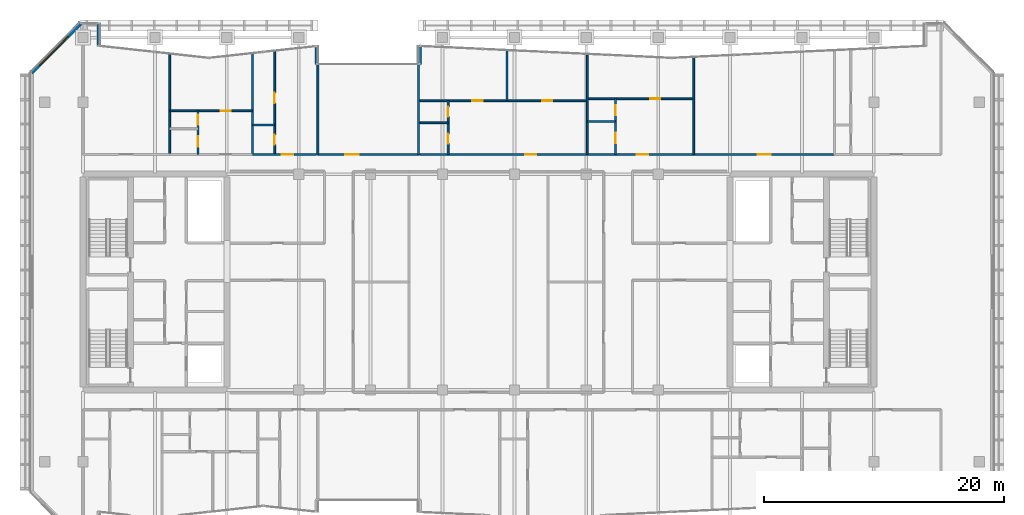
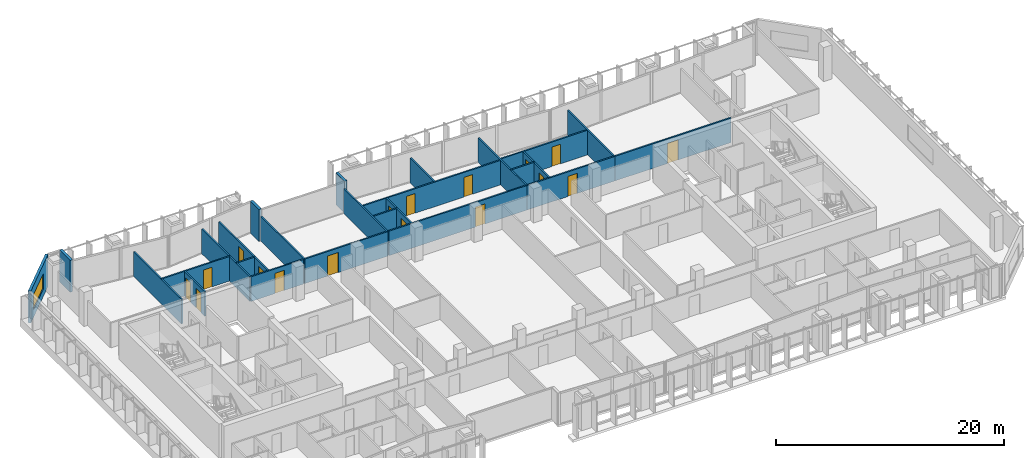
# One storey, part 22 of 29: 26 walls, 17 doors, 1 window, 18 openings.
"""IFC4 building model written with IfcOpenShell, lengths in metres."""

from ifc_helpers import new_model, si_unit, direction, frame, frame_2d, origin, place, context, subcontext, project, spatial, rectangle, extrude, material, layer, layer_set, type_object, element, fill, save


model = new_model("IFC4")

# Units and contexts
model_context = context("Model", 3, precision=1e-05, world=origin(), true_north=direction((0.0, 1.0)))
body_context = subcontext(model_context, "Body", "Model", "MODEL_VIEW")
ifc_project = project(units=[si_unit("LENGTHUNIT", "METRE"), si_unit("AREAUNIT", "SQUARE_METRE"), si_unit("VOLUMEUNIT", "CUBIC_METRE"), si_unit("PLANEANGLEUNIT", "RADIAN"), si_unit("MASSUNIT", "GRAM", prefix="KILO")], contexts=[model_context])

# Site, building, storey
site_placement = place(None, origin())
site = spatial("IfcSite", under=ifc_project, at=site_placement, CompositionType="ELEMENT")
building_placement = place(site_placement, origin())
building = spatial("IfcBuilding", under=site, at=building_placement, Name="Tanjung Sevakor Pilgrim Tower", CompositionType="ELEMENT")
storey_placement = place(building_placement, frame((0.0, 0.0, 162.030029296875)))
storey = spatial("IfcBuildingStorey", under=building, at=storey_placement, Name="L45", CompositionType="ELEMENT", Elevation=162.030029296875)

# Wall, opening, door
ifc_material_1 = material(Name="Concrete C40/50", Category="concrete")
ifc_layer_1 = layer(ifc_material_1, 0.14990234375)
ifc_layer_set_1 = layer_set([ifc_layer_1], Name="WT-COMP-150")
wall_type_1 = type_object("IfcWallType", Name="WT-COMP-150", PredefinedType="SOLIDWALL", material=ifc_layer_set_1)
wall_1_placement = place(storey_placement, frame((43.60009765625, 44.25, 0.0), z_axis=(0.0, 0.0, 1.0), x_axis=(1.0, 0.0, 0.0)))
wall_1 = element("IfcWall", 1, at=wall_1_placement, inside=storey, type_object=wall_type_1, Name="L45 Partition IW-L45-056", PredefinedType="SOLIDWALL", context=body_context, shape_type="SweptSolid", body=[
    extrude(rectangle(XDim=8.39990234375, YDim=0.14990234375, at=frame_2d((4.199951171875, 0.0))), origin(), (0.0, 0.0, 1.0), 2.6298828125),
])
opening_1_placement = place(wall_1_placement, frame((2.300048828125, 0.0, 0.0)))
opening_1 = element("IfcOpeningElement", 2, at=opening_1_placement, cuts=wall_1, Name="Opening ID-RM2", PredefinedType="OPENING", context=body_context, shape_type="SweptSolid", body=[
    extrude(rectangle(XDim=1.10009765625, YDim=2.14990234375, at=frame_2d((0.550048828125, 1.074951171875))), frame((0.0, 0.0849609375, 0.0), z_axis=(0.0, -1.0, 0.0), x_axis=(1.0, 0.0, 0.0)), (0.0, 0.0, 1.0), 0.169921875),
])
ifc_material_2 = material(Name="Hardwood Timber", Category="wood")
door_type_1 = type_object("IfcDoorType", Name="DT-INT-1100", OperationType="NOTDEFINED", PredefinedType="DOOR", material=ifc_material_2)
door_1_placement = place(opening_1_placement, origin())
door_1 = element("IfcDoor", 3, at=door_1_placement, inside=storey, type_object=door_type_1, Name="L45 North Cleft Seminar Room Door", OperationType="SINGLE_SWING_LEFT", OverallHeight=2.14990234375, OverallWidth=1.10009765625, PredefinedType="DOOR", context=body_context, shape_type="SweptSolid", body=[
    extrude(rectangle(XDim=1.10009765625, YDim=2.14990234375, at=frame_2d((0.550048828125, 1.074951171875))), frame((0.0, 0.02490234375, 0.0), z_axis=(0.0, -1.0, 0.0), x_axis=(1.0, 0.0, 0.0)), (0.0, 0.0, 1.0), 0.050048828125),
])
fill(opening_1, door_1)

# Walls
for number, where, z_axis, x_axis, name in (
    (4, (43.60009765625, 44.25, 0.0), (0.0, 0.0, 1.0), (0.0, 1.0, 0.0), "L45 Partition IW-L45-057"),
    (5, (52.0, 44.25, 0.0), (0.0, 0.0, 1.0), (0.0, 1.0, 0.0), "L45 Partition IW-L45-058"),
):
    element("IfcWall", number, at=place(storey_placement, frame(where, z_axis=z_axis, x_axis=x_axis)), inside=storey, type_object=wall_type_1, Name=name, PredefinedType="SOLIDWALL", context=body_context, shape_type="SweptSolid", body=[
        extrude(rectangle(XDim=7.52490234375, YDim=0.14990234375, at=frame_2d((3.762451171875, 0.0))), origin(), (0.0, 0.0, 1.0), 2.6298828125),
    ])
wall_2_placement = place(storey_placement, frame((31.239501953125, 44.25, 0.0), z_axis=(0.0, 0.0, 1.0), x_axis=(0.0, 1.0, 0.0)))
element("IfcWall", 6, at=wall_2_placement, inside=storey, type_object=wall_type_1, Name="L45 Partition IW-L45-093", PredefinedType="SOLIDWALL", context=body_context, shape_type="SweptSolid", body=[
    extrude(rectangle(XDim=8.402587890625, YDim=0.14990234375, at=frame_2d((4.201171875, 0.0))), origin(), (0.0, 0.0, 1.0), 2.6298828125),
])
wall_3_placement = place(storey_placement, frame((38.1455078125, 44.25, 0.0), z_axis=(0.0, 0.0, 1.0), x_axis=(0.0, 1.0, 0.0)))
element("IfcWall", 7, at=wall_3_placement, inside=storey, type_object=wall_type_1, Name="L45 Partition IW-L45-095", PredefinedType="SOLIDWALL", context=body_context, shape_type="SweptSolid", body=[
    extrude(rectangle(XDim=8.44482421875, YDim=0.14990234375, at=frame_2d((4.222412109375, 0.0))), origin(), (0.0, 0.0, 1.0), 2.6298828125),
])

# Wall, opening, door
wall_4_placement = place(storey_placement, frame((38.1455078125, 44.25, 0.0), z_axis=(0.0, 0.0, 1.0), x_axis=(1.0, 0.0, 0.0)))
wall_4 = element("IfcWall", 8, at=wall_4_placement, inside=storey, type_object=wall_type_1, Name="L45 Partition IW-L45-102", PredefinedType="SOLIDWALL", context=body_context, shape_type="SweptSolid", body=[
    extrude(rectangle(XDim=5.33447265625, YDim=0.14990234375, at=frame_2d((2.667236328125, 0.0))), origin(), (0.0, 0.0, 1.0), 2.6298828125),
])
opening_2_placement = place(wall_4_placement, frame((2.437255859375, 0.0, 0.0)))
opening_2 = element("IfcOpeningElement", 9, at=opening_2_placement, cuts=wall_4, Name="Opening ID-FD2", PredefinedType="OPENING", context=body_context, shape_type="SweptSolid", body=[
    extrude(rectangle(XDim=0.949951171875, YDim=2.14990234375, at=frame_2d((0.47509765625, 1.074951171875))), frame((0.0, 0.0849609375, 0.0), z_axis=(0.0, -1.0, 0.0), x_axis=(1.0, 0.0, 0.0)), (0.0, 0.0, 1.0), 0.169921875),
])
ifc_material_3 = material(Name="Fire-Rated Timber", Category="wood")
door_type_2 = type_object("IfcDoorType", Name="DT-FIRE-950", OperationType="NOTDEFINED", PredefinedType="DOOR", material=ifc_material_3)
door_2_placement = place(opening_2_placement, origin())
door_2 = element("IfcDoor", 10, at=door_2_placement, inside=storey, type_object=door_type_2, Name="Hostel Quad Entrance", OperationType="SINGLE_SWING_RIGHT", OverallHeight=2.14990234375, OverallWidth=0.949951171875, PredefinedType="DOOR", context=body_context, shape_type="SweptSolid", body=[
    extrude(rectangle(XDim=0.949951171875, YDim=2.14990234375, at=frame_2d((0.47509765625, 1.074951171875))), frame((0.0, 0.02490234375, 0.0), z_axis=(0.0, -1.0, 0.0), x_axis=(1.0, 0.0, 0.0)), (0.0, 0.0, 1.0), 0.050048828125),
])
fill(opening_2, door_2)

# Wall
wall_5_placement = place(storey_placement, frame((66.08447265625, 44.25, 0.0), z_axis=(0.0, 0.0, 1.0), x_axis=(0.0, 1.0, 0.0)))
element("IfcWall", 11, at=wall_5_placement, inside=storey, type_object=wall_type_1, Name="L45 Partition IW-L45-104", PredefinedType="SOLIDWALL", context=body_context, shape_type="SweptSolid", body=[
    extrude(rectangle(XDim=8.377197265625, YDim=0.14990234375, at=frame_2d((4.1884765625, 0.0))), origin(), (0.0, 0.0, 1.0), 2.6298828125),
])

# Wall, opening, door
wall_6_placement = place(storey_placement, frame((52.1201171875, 44.25, 0.0), z_axis=(0.0, 0.0, 1.0), x_axis=(1.0, 0.0, 0.0)))
wall_6 = element("IfcWall", 12, at=wall_6_placement, inside=storey, type_object=wall_type_1, Name="L45 Partition IW-L45-109", PredefinedType="SOLIDWALL", context=body_context, shape_type="SweptSolid", body=[
    extrude(rectangle(XDim=13.96435546875, YDim=0.14990234375, at=frame_2d((6.982177734375, 0.0))), origin(), (0.0, 0.0, 1.0), 2.6298828125),
])
opening_3_placement = place(wall_6_placement, frame((8.772216796875, 0.0, 0.0)))
opening_3 = element("IfcOpeningElement", 13, at=opening_3_placement, cuts=wall_6, Name="Opening ID-FD2", PredefinedType="OPENING", context=body_context, shape_type="SweptSolid", body=[
    extrude(rectangle(XDim=0.949951171875, YDim=2.14990234375, at=frame_2d((0.47509765625, 1.074951171875))), frame((0.0, 0.0849609375, 0.0), z_axis=(0.0, -1.0, 0.0), x_axis=(1.0, 0.0, 0.0)), (0.0, 0.0, 1.0), 0.169921875),
])
door_3_placement = place(opening_3_placement, origin())
door_3 = element("IfcDoor", 14, at=door_3_placement, inside=storey, type_object=door_type_2, Name="Suite Entrance", OperationType="SINGLE_SWING_LEFT", OverallHeight=2.14990234375, OverallWidth=0.949951171875, PredefinedType="DOOR", context=body_context, shape_type="SweptSolid", body=[
    extrude(rectangle(XDim=0.949951171875, YDim=2.14990234375, at=frame_2d((0.47509765625, 1.074951171875))), frame((0.0, 0.02490234375, 0.0), z_axis=(0.0, -1.0, 0.0), x_axis=(1.0, 0.0, 0.0)), (0.0, 0.0, 1.0), 0.050048828125),
])
fill(opening_3, door_3)

# Wall
wall_7_placement = place(storey_placement, frame((74.970703125, 44.25, 0.0), z_axis=(0.0, 0.0, 1.0), x_axis=(0.0, 1.0, 0.0)))
element("IfcWall", 15, at=wall_7_placement, inside=storey, type_object=wall_type_1, Name="L45 Partition IW-L45-110", PredefinedType="SOLIDWALL", context=body_context, shape_type="SweptSolid", body=[
    extrude(rectangle(XDim=8.133544921875, YDim=0.14990234375, at=frame_2d((4.06689453125, 0.0))), origin(), (0.0, 0.0, 1.0), 2.6298828125),
])

# Wall, opening, door
wall_8_placement = place(storey_placement, frame((66.08447265625, 44.25, 0.0), z_axis=(0.0, 0.0, 1.0), x_axis=(1.0, 0.0, 0.0)))
wall_8 = element("IfcWall", 16, at=wall_8_placement, inside=storey, type_object=wall_type_1, Name="L45 Partition IW-L45-114", PredefinedType="SOLIDWALL", context=body_context, shape_type="SweptSolid", body=[
    extrude(rectangle(XDim=8.88623046875, YDim=0.14990234375, at=frame_2d((4.443115234375, 0.0))), origin(), (0.0, 0.0, 1.0), 2.6298828125),
])
opening_4_placement = place(wall_8_placement, frame((4.13330078125, 0.0, 0.0)))
opening_4 = element("IfcOpeningElement", 17, at=opening_4_placement, cuts=wall_8, Name="Opening ID-FD2", PredefinedType="OPENING", context=body_context, shape_type="SweptSolid", body=[
    extrude(rectangle(XDim=0.949951171875, YDim=2.14990234375, at=frame_2d((0.47509765625, 1.074951171875))), frame((0.0, 0.0849609375, 0.0), z_axis=(0.0, -1.0, 0.0), x_axis=(1.0, 0.0, 0.0)), (0.0, 0.0, 1.0), 0.169921875),
])
door_4_placement = place(opening_4_placement, origin())
door_4 = element("IfcDoor", 18, at=door_4_placement, inside=storey, type_object=door_type_2, Name="Residence Entrance", OperationType="SINGLE_SWING_LEFT", OverallHeight=2.14990234375, OverallWidth=0.949951171875, PredefinedType="DOOR", context=body_context, shape_type="SweptSolid", body=[
    extrude(rectangle(XDim=0.949951171875, YDim=2.14990234375, at=frame_2d((0.47509765625, 1.074951171875))), frame((0.0, 0.02490234375, 0.0), z_axis=(0.0, -1.0, 0.0), x_axis=(1.0, 0.0, 0.0)), (0.0, 0.0, 1.0), 0.050048828125),
])
fill(opening_4, door_4)

wall_9_placement = place(storey_placement, frame((74.970703125, 44.25, 0.0), z_axis=(0.0, 0.0, 1.0), x_axis=(1.0, 0.0, 0.0)))
wall_9 = element("IfcWall", 19, at=wall_9_placement, inside=storey, type_object=wall_type_1, Name="L45 Partition IW-L45-116", PredefinedType="SOLIDWALL", context=body_context, shape_type="SweptSolid", body=[
    extrude(rectangle(XDim=11.742919921875, YDim=0.14990234375, at=frame_2d((5.87158203125, 0.0))), origin(), (0.0, 0.0, 1.0), 2.6298828125),
])
opening_5_placement = place(wall_9_placement, frame((5.3212890625, 0.0, 0.0)))
opening_5 = element("IfcOpeningElement", 20, at=opening_5_placement, cuts=wall_9, Name="Opening ID-FD0", PredefinedType="OPENING", context=body_context, shape_type="SweptSolid", body=[
    extrude(rectangle(XDim=1.10009765625, YDim=2.14990234375, at=frame_2d((0.550048828125, 1.074951171875))), frame((0.0, 0.0849609375, 0.0), z_axis=(0.0, -1.0, 0.0), x_axis=(1.0, 0.0, 0.0)), (0.0, 0.0, 1.0), 0.169921875),
])
ifc_material_4 = material(Name="Fire-Rated Steel S355J2", Category="steel")
door_type_3 = type_object("IfcDoorType", Name="DT-FIRE-1100", OperationType="NOTDEFINED", PredefinedType="DOOR", material=ifc_material_4)
door_5_placement = place(opening_5_placement, origin())
door_5 = element("IfcDoor", 21, at=door_5_placement, inside=storey, type_object=door_type_3, Name="Seminar Room Door", OperationType="SINGLE_SWING_RIGHT", OverallHeight=2.14990234375, OverallWidth=1.10009765625, PredefinedType="DOOR", context=body_context, shape_type="SweptSolid", body=[
    extrude(rectangle(XDim=1.10009765625, YDim=2.14990234375, at=frame_2d((0.550048828125, 1.074951171875))), frame((0.0, 0.02490234375, 0.0), z_axis=(0.0, -1.0, 0.0), x_axis=(1.0, 0.0, 0.0)), (0.0, 0.0, 1.0), 0.050048828125),
])
fill(opening_5, door_5)

# Walls
ifc_material_5 = material(Name="Precast concrete C45/55", Category="concrete")
ifc_layer_2 = layer(ifc_material_5, 0.25)
ifc_layer_set_2 = layer_set([ifc_layer_2], Name="WT-EW-STN3")
wall_type_2 = type_object("IfcWallType", Name="WT-EW-STN3", PredefinedType="SOLIDWALL", material=ifc_layer_set_2)
wall_10_placement = place(storey_placement, frame((52.125, 53.288818359375, 0.0), z_axis=(0.0, 0.0, 1.0), x_axis=(0.0, -1.0, 0.0)))
element("IfcWall", 22, at=wall_10_placement, inside=storey, type_object=wall_type_2, Name="L45 MAIN Exterior Wall 25", PredefinedType="SOLIDWALL", context=body_context, shape_type="SweptSolid", body=[
    extrude(rectangle(XDim=1.513916015625, YDim=0.25, at=frame_2d((0.7568359375, 0.0))), origin(), (0.0, 0.0, 1.0), 3.409912109375),
])
wall_11_placement = place(storey_placement, frame((43.47509765625, 51.77490234375, 0.0), z_axis=(0.0, 0.0, 1.0), x_axis=(0.0, 1.0, 0.0)))
element("IfcWall", 23, at=wall_11_placement, inside=storey, type_object=wall_type_2, Name="L45 MAIN Exterior Wall 27", PredefinedType="SOLIDWALL", context=body_context, shape_type="SweptSolid", body=[
    extrude(rectangle(XDim=1.505615234375, YDim=0.25, at=frame_2d((0.7529296875, 0.0))), origin(), (0.0, 0.0, 1.0), 3.409912109375),
])
wall_12_placement = place(storey_placement, frame((25.27490234375, 53.30810546875, 0.0), z_axis=(0.0, 0.0, 1.0), x_axis=(0.0, 1.0, 0.0)))
element("IfcWall", 24, at=wall_12_placement, inside=storey, type_object=wall_type_2, Name="L45 MAIN Exterior Wall 32", PredefinedType="SOLIDWALL", context=body_context, shape_type="SweptSolid", body=[
    extrude(rectangle(XDim=1.866943359375, YDim=0.25, at=frame_2d((0.93359375, 0.0))), origin(), (0.0, 0.0, 1.0), 3.409912109375),
])

# Wall, opening, window
wall_13_placement = place(storey_placement, frame((23.851806640625, 55.175048828125, 0.0), z_axis=(0.0, 0.0, 1.0), x_axis=(-0.70708586489, -0.707127696864, 0.0)))
wall_13 = element("IfcWall", 25, at=wall_13_placement, inside=storey, type_object=wall_type_2, Name="L45 MAIN Sculpted Corner Wall 33", PredefinedType="SOLIDWALL", context=body_context, shape_type="SweptSolid", body=[
    extrude(rectangle(XDim=5.836181640625, YDim=0.25, at=frame_2d((2.91796875, 0.0))), origin(), (0.0, 0.0, 1.0), 3.409912109375),
])
opening_6_placement = place(wall_13_placement, frame((1.5380859375, 0.0, 0.780029296875)))
opening_6 = element("IfcOpeningElement", 26, at=opening_6_placement, cuts=wall_13, Name="Opening WN-CHM-1660", PredefinedType="OPENING", context=body_context, shape_type="SweptSolid", body=[
    extrude(rectangle(XDim=3.39990234375, YDim=1.659912109375, at=frame_2d((1.699951171875, 0.830078125))), frame((0.0, 0.135009765625, 0.0), z_axis=(0.0, -1.0, 0.0), x_axis=(1.0, 0.0, 0.0)), (0.0, 0.0, 1.0), 0.27001953125),
])
ifc_material_6 = material(Name="Thermally Broken Aluminium and Low-E Glass", Category="aluminium")
window_type = type_object("IfcWindowType", Name="WTYP-WN-CHM-1660", PartitioningType="DOUBLE_PANEL_VERTICAL", PredefinedType="WINDOW", material=ifc_material_6)
window_placement = place(opening_6_placement, origin())
window = element("IfcWindow", 27, at=window_placement, inside=storey, type_object=window_type, Name="L45 Facade Window 01", OverallHeight=1.659912109375, OverallWidth=3.39990234375, PartitioningType="SINGLE_PANEL", PredefinedType="WINDOW", context=body_context, shape_type="SweptSolid", body=[
    extrude(rectangle(XDim=3.39990234375, YDim=1.659912109375, at=frame_2d((1.699951171875, 0.830078125))), frame((0.0, 0.030029296875, 0.0), z_axis=(0.0, -1.0, 0.0), x_axis=(1.0, 0.0, 0.0)), (0.0, 0.0, 1.0), 0.06005859375),
])
fill(opening_6, window)

# Wall, openings, doors
ifc_material_7 = material(Name="Gypsum Board Partition", Category="gypsum board")
ifc_layer_3 = layer(ifc_material_7, 0.14990234375)
ifc_layer_set_3 = layer_set([ifc_layer_3], Name="WT-PART-150")
wall_type_3 = type_object("IfcWallType", Name="WT-PART-150", PredefinedType="PARTITIONING", material=ifc_layer_set_3)
wall_14_placement = place(storey_placement, frame((33.587646484375, 44.25, 0.0), z_axis=(0.0, 0.0, 1.0), x_axis=(0.0, 1.0, 0.0)))
wall_14 = element("IfcWall", 28, at=wall_14_placement, inside=storey, type_object=wall_type_3, Name="L45 Partition IW-L45-097", PredefinedType="PARTITIONING", context=body_context, shape_type="SweptSolid", body=[
    extrude(rectangle(XDim=3.638916015625, YDim=0.14990234375, at=frame_2d((1.8193359375, 0.0))), origin(), (0.0, 0.0, 1.0), 2.6298828125),
])
opening_7_placement = place(wall_14_placement, frame((0.6484375, 0.0, 0.0)))
opening_7 = element("IfcOpeningElement", 29, at=opening_7_placement, cuts=wall_14, Name="Opening ID-WC1", PredefinedType="OPENING", context=body_context, shape_type="SweptSolid", body=[
    extrude(rectangle(XDim=0.85009765625, YDim=2.10009765625, at=frame_2d((0.425048828125, 1.050048828125))), frame((0.0, 0.0849609375, 0.0), z_axis=(0.0, -1.0, 0.0), x_axis=(1.0, 0.0, 0.0)), (0.0, 0.0, 1.0), 0.169921875),
])
opening_8_placement = place(wall_14_placement, frame((2.468017578125, 0.0, 0.0)))
opening_8 = element("IfcOpeningElement", 30, at=opening_8_placement, cuts=wall_14, Name="Opening ID-WC1", PredefinedType="OPENING", context=body_context, shape_type="SweptSolid", body=[
    extrude(rectangle(XDim=0.85009765625, YDim=2.10009765625, at=frame_2d((0.425048828125, 1.050048828125))), frame((0.0, 0.0849609375, 0.0), z_axis=(0.0, -1.0, 0.0), x_axis=(1.0, 0.0, 0.0)), (0.0, 0.0, 1.0), 0.169921875),
])
ifc_material_8 = material(Name="Moisture-Resistant Timber", Category="wood")
door_type_4 = type_object("IfcDoorType", Name="DT-INT-850", OperationType="NOTDEFINED", PredefinedType="DOOR", material=ifc_material_8)
door_6_placement = place(opening_7_placement, origin())
door_6 = element("IfcDoor", 31, at=door_6_placement, inside=storey, type_object=door_type_4, Name="Residence Kitchenette Door", OperationType="SINGLE_SWING_RIGHT", OverallHeight=2.10009765625, OverallWidth=0.85009765625, PredefinedType="DOOR", context=body_context, shape_type="SweptSolid", body=[
    extrude(rectangle(XDim=0.85009765625, YDim=2.10009765625, at=frame_2d((0.425048828125, 1.050048828125))), frame((0.0, 0.02490234375, 0.0), z_axis=(0.0, -1.0, 0.0), x_axis=(1.0, 0.0, 0.0)), (0.0, 0.0, 1.0), 0.050048828125),
])
fill(opening_7, door_6)
door_7_placement = place(opening_8_placement, origin())
door_7 = element("IfcDoor", 32, at=door_7_placement, inside=storey, type_object=door_type_4, Name="Residence Bathroom Door", OperationType="SINGLE_SWING_LEFT", OverallHeight=2.10009765625, OverallWidth=0.85009765625, PredefinedType="DOOR", context=body_context, shape_type="SweptSolid", body=[
    extrude(rectangle(XDim=0.85009765625, YDim=2.10009765625, at=frame_2d((0.425048828125, 1.050048828125))), frame((0.0, 0.02490234375, 0.0), z_axis=(0.0, -1.0, 0.0), x_axis=(1.0, 0.0, 0.0)), (0.0, 0.0, 1.0), 0.050048828125),
])
fill(opening_8, door_7)

# Wall, opening, door
wall_15_placement = place(storey_placement, frame((31.239501953125, 47.888916015625, 0.0), z_axis=(0.0, 0.0, 1.0), x_axis=(1.0, 0.0, 0.0)))
wall_15 = element("IfcWall", 33, at=wall_15_placement, inside=storey, type_object=wall_type_3, Name="L45 Partition IW-L45-098", PredefinedType="PARTITIONING", context=body_context, shape_type="SweptSolid", body=[
    extrude(rectangle(XDim=6.906005859375, YDim=0.14990234375, at=frame_2d((3.453125, 0.0))), origin(), (0.0, 0.0, 1.0), 2.6298828125),
])
opening_9_placement = place(wall_15_placement, frame((4.2421875, 0.0, 0.0)))
opening_9 = element("IfcOpeningElement", 34, at=opening_9_placement, cuts=wall_15, Name="Opening ID-WC1", PredefinedType="OPENING", context=body_context, shape_type="SweptSolid", body=[
    extrude(rectangle(XDim=0.85009765625, YDim=2.10009765625, at=frame_2d((0.425048828125, 1.050048828125))), frame((0.0, 0.0849609375, 0.0), z_axis=(0.0, -1.0, 0.0), x_axis=(1.0, 0.0, 0.0)), (0.0, 0.0, 1.0), 0.169921875),
])
door_8_placement = place(opening_9_placement, origin())
door_8 = element("IfcDoor", 35, at=door_8_placement, inside=storey, type_object=door_type_4, Name="Residence Bedroom Door", OperationType="SINGLE_SWING_RIGHT", OverallHeight=2.10009765625, OverallWidth=0.85009765625, PredefinedType="DOOR", context=body_context, shape_type="SweptSolid", body=[
    extrude(rectangle(XDim=0.85009765625, YDim=2.10009765625, at=frame_2d((0.425048828125, 1.050048828125))), frame((0.0, 0.02490234375, 0.0), z_axis=(0.0, -1.0, 0.0), x_axis=(1.0, 0.0, 0.0)), (0.0, 0.0, 1.0), 0.050048828125),
])
fill(opening_9, door_8)

# Wall
wall_16_placement = place(storey_placement, frame((38.1455078125, 46.699951171875, 0.0), z_axis=(0.0, 0.0, 1.0), x_axis=(1.0, 0.0, 0.0)))
element("IfcWall", 36, at=wall_16_placement, inside=storey, type_object=wall_type_3, Name="L45 Partition IW-L45-100", PredefinedType="PARTITIONING", context=body_context, shape_type="SweptSolid", body=[
    extrude(rectangle(XDim=1.85009765625, YDim=0.14990234375, at=frame_2d((0.925048828125, 0.0))), origin(), (0.0, 0.0, 1.0), 2.6298828125),
])

# Wall, openings, doors
wall_17_placement = place(storey_placement, frame((39.99560546875, 44.25, 0.0), z_axis=(0.0, 0.0, 1.0), x_axis=(0.0, 1.0, 0.0)))
wall_17 = element("IfcWall", 37, at=wall_17_placement, inside=storey, type_object=wall_type_3, Name="L45 Partition IW-L45-101", PredefinedType="PARTITIONING", context=body_context, shape_type="SweptSolid", body=[
    extrude(rectangle(XDim=8.648193359375, YDim=0.14990234375, at=frame_2d((4.32421875, 0.0))), origin(), (0.0, 0.0, 1.0), 2.6298828125),
])
opening_10_placement = place(wall_17_placement, frame((0.800048828125, 0.0, 0.0)))
opening_10 = element("IfcOpeningElement", 38, at=opening_10_placement, cuts=wall_17, Name="Opening ID-WC1", PredefinedType="OPENING", context=body_context, shape_type="SweptSolid", body=[
    extrude(rectangle(XDim=0.85009765625, YDim=2.10009765625, at=frame_2d((0.425048828125, 1.050048828125))), frame((0.0, 0.0849609375, 0.0), z_axis=(0.0, -1.0, 0.0), x_axis=(1.0, 0.0, 0.0)), (0.0, 0.0, 1.0), 0.169921875),
])
opening_11_placement = place(wall_17_placement, frame((4.2900390625, 0.0, 0.0)))
opening_11 = element("IfcOpeningElement", 39, at=opening_11_placement, cuts=wall_17, Name="Opening ID-WC1", PredefinedType="OPENING", context=body_context, shape_type="SweptSolid", body=[
    extrude(rectangle(XDim=0.85009765625, YDim=2.10009765625, at=frame_2d((0.425048828125, 1.050048828125))), frame((0.0, 0.0849609375, 0.0), z_axis=(0.0, -1.0, 0.0), x_axis=(1.0, 0.0, 0.0)), (0.0, 0.0, 1.0), 0.169921875),
])
door_9_placement = place(opening_10_placement, origin())
door_9 = element("IfcDoor", 40, at=door_9_placement, inside=storey, type_object=door_type_4, Name="Bathroom Door", OperationType="SINGLE_SWING_RIGHT", OverallHeight=2.10009765625, OverallWidth=0.85009765625, PredefinedType="DOOR", context=body_context, shape_type="SweptSolid", body=[
    extrude(rectangle(XDim=0.85009765625, YDim=2.10009765625, at=frame_2d((0.425048828125, 1.050048828125))), frame((0.0, 0.02490234375, 0.0), z_axis=(0.0, -1.0, 0.0), x_axis=(1.0, 0.0, 0.0)), (0.0, 0.0, 1.0), 0.050048828125),
])
fill(opening_10, door_9)
door_10_placement = place(opening_11_placement, origin())
door_10 = element("IfcDoor", 41, at=door_10_placement, inside=storey, type_object=door_type_4, Name="Study Nook Door", OperationType="SINGLE_SWING_LEFT", OverallHeight=2.10009765625, OverallWidth=0.85009765625, PredefinedType="DOOR", context=body_context, shape_type="SweptSolid", body=[
    extrude(rectangle(XDim=0.85009765625, YDim=2.10009765625, at=frame_2d((0.425048828125, 1.050048828125))), frame((0.0, 0.02490234375, 0.0), z_axis=(0.0, -1.0, 0.0), x_axis=(1.0, 0.0, 0.0)), (0.0, 0.0, 1.0), 0.050048828125),
])
fill(opening_11, door_10)

# Wall
wall_18_placement = place(storey_placement, frame((52.1201171875, 46.89501953125, 0.0), z_axis=(0.0, 0.0, 1.0), x_axis=(1.0, 0.0, 0.0)))
element("IfcWall", 42, at=wall_18_placement, inside=storey, type_object=wall_type_3, Name="L45 Partition IW-L45-105", PredefinedType="PARTITIONING", context=body_context, shape_type="SweptSolid", body=[
    extrude(rectangle(XDim=2.349853515625, YDim=0.14990234375, at=frame_2d((1.1748046875, 0.0))), origin(), (0.0, 0.0, 1.0), 2.6298828125),
])

# Wall, openings, doors
wall_19_placement = place(storey_placement, frame((54.469970703125, 44.25, 0.0), z_axis=(0.0, 0.0, 1.0), x_axis=(0.0, 1.0, 0.0)))
wall_19 = element("IfcWall", 43, at=wall_19_placement, inside=storey, type_object=wall_type_3, Name="L45 Partition IW-L45-106", PredefinedType="PARTITIONING", context=body_context, shape_type="SweptSolid", body=[
    extrude(rectangle(XDim=4.48291015625, YDim=0.14990234375, at=frame_2d((2.241455078125, 0.0))), origin(), (0.0, 0.0, 1.0), 2.6298828125),
])
opening_12_placement = place(wall_19_placement, frame((0.8974609375, 0.0, 0.0)))
opening_12 = element("IfcOpeningElement", 44, at=opening_12_placement, cuts=wall_19, Name="Opening ID-WC1", PredefinedType="OPENING", context=body_context, shape_type="SweptSolid", body=[
    extrude(rectangle(XDim=0.85009765625, YDim=2.10009765625, at=frame_2d((0.425048828125, 1.050048828125))), frame((0.0, 0.0849609375, 0.0), z_axis=(0.0, -1.0, 0.0), x_axis=(1.0, 0.0, 0.0)), (0.0, 0.0, 1.0), 0.169921875),
])
opening_13_placement = place(wall_19_placement, frame((3.138916015625, 0.0, 0.0)))
opening_13 = element("IfcOpeningElement", 45, at=opening_13_placement, cuts=wall_19, Name="Opening ID-WC1", PredefinedType="OPENING", context=body_context, shape_type="SweptSolid", body=[
    extrude(rectangle(XDim=0.85009765625, YDim=2.10009765625, at=frame_2d((0.425048828125, 1.050048828125))), frame((0.0, 0.0849609375, 0.0), z_axis=(0.0, -1.0, 0.0), x_axis=(1.0, 0.0, 0.0)), (0.0, 0.0, 1.0), 0.169921875),
])
door_11_placement = place(opening_12_placement, origin())
door_11 = element("IfcDoor", 46, at=door_11_placement, inside=storey, type_object=door_type_4, Name="Suite Kitchenette Door", OperationType="SINGLE_SWING_LEFT", OverallHeight=2.10009765625, OverallWidth=0.85009765625, PredefinedType="DOOR", context=body_context, shape_type="SweptSolid", body=[
    extrude(rectangle(XDim=0.85009765625, YDim=2.10009765625, at=frame_2d((0.425048828125, 1.050048828125))), frame((0.0, 0.02490234375, 0.0), z_axis=(0.0, -1.0, 0.0), x_axis=(1.0, 0.0, 0.0)), (0.0, 0.0, 1.0), 0.050048828125),
])
fill(opening_12, door_11)
door_12_placement = place(opening_13_placement, origin())
door_12 = element("IfcDoor", 47, at=door_12_placement, inside=storey, type_object=door_type_4, Name="Suite Bathroom Door", OperationType="SINGLE_SWING_RIGHT", OverallHeight=2.10009765625, OverallWidth=0.85009765625, PredefinedType="DOOR", context=body_context, shape_type="SweptSolid", body=[
    extrude(rectangle(XDim=0.85009765625, YDim=2.10009765625, at=frame_2d((0.425048828125, 1.050048828125))), frame((0.0, 0.02490234375, 0.0), z_axis=(0.0, -1.0, 0.0), x_axis=(1.0, 0.0, 0.0)), (0.0, 0.0, 1.0), 0.050048828125),
])
fill(opening_13, door_12)

# Wall
wall_20_placement = place(storey_placement, frame((59.381591796875, 48.73291015625, 0.0), z_axis=(0.0, 0.0, 1.0), x_axis=(0.0, 1.0, 0.0)))
element("IfcWall", 48, at=wall_20_placement, inside=storey, type_object=wall_type_3, Name="L45 Partition IW-L45-107", PredefinedType="PARTITIONING", context=body_context, shape_type="SweptSolid", body=[
    extrude(rectangle(XDim=4.212158203125, YDim=0.14990234375, at=frame_2d((2.10595703125, 0.0))), origin(), (0.0, 0.0, 1.0), 2.6298828125),
])

# Wall, openings, doors
wall_21_placement = place(storey_placement, frame((52.1201171875, 48.73291015625, 0.0), z_axis=(0.0, 0.0, 1.0), x_axis=(1.0, 0.0, 0.0)))
wall_21 = element("IfcWall", 49, at=wall_21_placement, inside=storey, type_object=wall_type_3, Name="L45 Partition IW-L45-108", PredefinedType="PARTITIONING", context=body_context, shape_type="SweptSolid", body=[
    extrude(rectangle(XDim=13.96435546875, YDim=0.14990234375, at=frame_2d((6.982177734375, 0.0))), origin(), (0.0, 0.0, 1.0), 2.6298828125),
])
opening_14_placement = place(wall_21_placement, frame((4.380859375, 0.0, 0.0)))
opening_14 = element("IfcOpeningElement", 50, at=opening_14_placement, cuts=wall_21, Name="Opening ID-WC1", PredefinedType="OPENING", context=body_context, shape_type="SweptSolid", body=[
    extrude(rectangle(XDim=0.85009765625, YDim=2.10009765625, at=frame_2d((0.425048828125, 1.050048828125))), frame((0.0, 0.0849609375, 0.0), z_axis=(0.0, -1.0, 0.0), x_axis=(1.0, 0.0, 0.0)), (0.0, 0.0, 1.0), 0.169921875),
])
opening_15_placement = place(wall_21_placement, frame((10.18798828125, 0.0, 0.0)))
opening_15 = element("IfcOpeningElement", 51, at=opening_15_placement, cuts=wall_21, Name="Opening ID-WC1", PredefinedType="OPENING", context=body_context, shape_type="SweptSolid", body=[
    extrude(rectangle(XDim=0.85009765625, YDim=2.10009765625, at=frame_2d((0.425048828125, 1.050048828125))), frame((0.0, 0.0849609375, 0.0), z_axis=(0.0, -1.0, 0.0), x_axis=(1.0, 0.0, 0.0)), (0.0, 0.0, 1.0), 0.169921875),
])
door_13_placement = place(opening_14_placement, origin())
door_13 = element("IfcDoor", 52, at=door_13_placement, inside=storey, type_object=door_type_4, Name="Suite Bedroom 1 Door", OperationType="SINGLE_SWING_LEFT", OverallHeight=2.10009765625, OverallWidth=0.85009765625, PredefinedType="DOOR", context=body_context, shape_type="SweptSolid", body=[
    extrude(rectangle(XDim=0.85009765625, YDim=2.10009765625, at=frame_2d((0.425048828125, 1.050048828125))), frame((0.0, 0.02490234375, 0.0), z_axis=(0.0, -1.0, 0.0), x_axis=(1.0, 0.0, 0.0)), (0.0, 0.0, 1.0), 0.050048828125),
])
fill(opening_14, door_13)
door_14_placement = place(opening_15_placement, origin())
door_14 = element("IfcDoor", 53, at=door_14_placement, inside=storey, type_object=door_type_4, Name="Suite Bedroom 2 Door", OperationType="SINGLE_SWING_RIGHT", OverallHeight=2.10009765625, OverallWidth=0.85009765625, PredefinedType="DOOR", context=body_context, shape_type="SweptSolid", body=[
    extrude(rectangle(XDim=0.85009765625, YDim=2.10009765625, at=frame_2d((0.425048828125, 1.050048828125))), frame((0.0, 0.02490234375, 0.0), z_axis=(0.0, -1.0, 0.0), x_axis=(1.0, 0.0, 0.0)), (0.0, 0.0, 1.0), 0.050048828125),
])
fill(opening_15, door_14)

# Wall
wall_22_placement = place(storey_placement, frame((66.08447265625, 46.99462890625, 0.0), z_axis=(0.0, 0.0, 1.0), x_axis=(1.0, 0.0, 0.0)))
element("IfcWall", 54, at=wall_22_placement, inside=storey, type_object=wall_type_3, Name="L45 Partition IW-L45-111", PredefinedType="PARTITIONING", context=body_context, shape_type="SweptSolid", body=[
    extrude(rectangle(XDim=2.349853515625, YDim=0.14990234375, at=frame_2d((1.1748046875, 0.0))), origin(), (0.0, 0.0, 1.0), 2.6298828125),
])

# Wall, openings, doors
wall_23_placement = place(storey_placement, frame((68.434326171875, 44.25, 0.0), z_axis=(0.0, 0.0, 1.0), x_axis=(0.0, 1.0, 0.0)))
wall_23 = element("IfcWall", 55, at=wall_23_placement, inside=storey, type_object=wall_type_3, Name="L45 Partition IW-L45-112", PredefinedType="PARTITIONING", context=body_context, shape_type="SweptSolid", body=[
    extrude(rectangle(XDim=4.652099609375, YDim=0.14990234375, at=frame_2d((2.326171875, 0.0))), origin(), (0.0, 0.0, 1.0), 2.6298828125),
])
opening_16_placement = place(wall_23_placement, frame((0.947509765625, 0.0, 0.0)))
opening_16 = element("IfcOpeningElement", 56, at=opening_16_placement, cuts=wall_23, Name="Opening ID-WC1", PredefinedType="OPENING", context=body_context, shape_type="SweptSolid", body=[
    extrude(rectangle(XDim=0.85009765625, YDim=2.10009765625, at=frame_2d((0.425048828125, 1.050048828125))), frame((0.0, 0.0849609375, 0.0), z_axis=(0.0, -1.0, 0.0), x_axis=(1.0, 0.0, 0.0)), (0.0, 0.0, 1.0), 0.169921875),
])
opening_17_placement = place(wall_23_placement, frame((3.2734375, 0.0, 0.0)))
opening_17 = element("IfcOpeningElement", 57, at=opening_17_placement, cuts=wall_23, Name="Opening ID-WC1", PredefinedType="OPENING", context=body_context, shape_type="SweptSolid", body=[
    extrude(rectangle(XDim=0.85009765625, YDim=2.10009765625, at=frame_2d((0.425048828125, 1.050048828125))), frame((0.0, 0.0849609375, 0.0), z_axis=(0.0, -1.0, 0.0), x_axis=(1.0, 0.0, 0.0)), (0.0, 0.0, 1.0), 0.169921875),
])
door_15_placement = place(opening_16_placement, origin())
door_15 = element("IfcDoor", 58, at=door_15_placement, inside=storey, type_object=door_type_4, Name="Residence Kitchenette Door", OperationType="SINGLE_SWING_RIGHT", OverallHeight=2.10009765625, OverallWidth=0.85009765625, PredefinedType="DOOR", context=body_context, shape_type="SweptSolid", body=[
    extrude(rectangle(XDim=0.85009765625, YDim=2.10009765625, at=frame_2d((0.425048828125, 1.050048828125))), frame((0.0, 0.02490234375, 0.0), z_axis=(0.0, -1.0, 0.0), x_axis=(1.0, 0.0, 0.0)), (0.0, 0.0, 1.0), 0.050048828125),
])
fill(opening_16, door_15)
door_16_placement = place(opening_17_placement, origin())
door_16 = element("IfcDoor", 59, at=door_16_placement, inside=storey, type_object=door_type_4, Name="Residence Bathroom Door", OperationType="SINGLE_SWING_LEFT", OverallHeight=2.10009765625, OverallWidth=0.85009765625, PredefinedType="DOOR", context=body_context, shape_type="SweptSolid", body=[
    extrude(rectangle(XDim=0.85009765625, YDim=2.10009765625, at=frame_2d((0.425048828125, 1.050048828125))), frame((0.0, 0.02490234375, 0.0), z_axis=(0.0, -1.0, 0.0), x_axis=(1.0, 0.0, 0.0)), (0.0, 0.0, 1.0), 0.050048828125),
])
fill(opening_17, door_16)

# Wall, opening, door
wall_24_placement = place(storey_placement, frame((66.08447265625, 48.902099609375, 0.0), z_axis=(0.0, 0.0, 1.0), x_axis=(1.0, 0.0, 0.0)))
wall_24 = element("IfcWall", 60, at=wall_24_placement, inside=storey, type_object=wall_type_3, Name="L45 Partition IW-L45-113", PredefinedType="PARTITIONING", context=body_context, shape_type="SweptSolid", body=[
    extrude(rectangle(XDim=8.88623046875, YDim=0.14990234375, at=frame_2d((4.443115234375, 0.0))), origin(), (0.0, 0.0, 1.0), 2.6298828125),
])
opening_18_placement = place(wall_24_placement, frame((5.233154296875, 0.0, 0.0)))
opening_18 = element("IfcOpeningElement", 61, at=opening_18_placement, cuts=wall_24, Name="Opening ID-WC1", PredefinedType="OPENING", context=body_context, shape_type="SweptSolid", body=[
    extrude(rectangle(XDim=0.85009765625, YDim=2.10009765625, at=frame_2d((0.425048828125, 1.050048828125))), frame((0.0, 0.0849609375, 0.0), z_axis=(0.0, -1.0, 0.0), x_axis=(1.0, 0.0, 0.0)), (0.0, 0.0, 1.0), 0.169921875),
])
door_17_placement = place(opening_18_placement, origin())
door_17 = element("IfcDoor", 62, at=door_17_placement, inside=storey, type_object=door_type_4, Name="Residence Bedroom Door", OperationType="SINGLE_SWING_RIGHT", OverallHeight=2.10009765625, OverallWidth=0.85009765625, PredefinedType="DOOR", context=body_context, shape_type="SweptSolid", body=[
    extrude(rectangle(XDim=0.85009765625, YDim=2.10009765625, at=frame_2d((0.425048828125, 1.050048828125))), frame((0.0, 0.02490234375, 0.0), z_axis=(0.0, -1.0, 0.0), x_axis=(1.0, 0.0, 0.0)), (0.0, 0.0, 1.0), 0.050048828125),
])
fill(opening_18, door_17)

save(model, "model.ifc")
